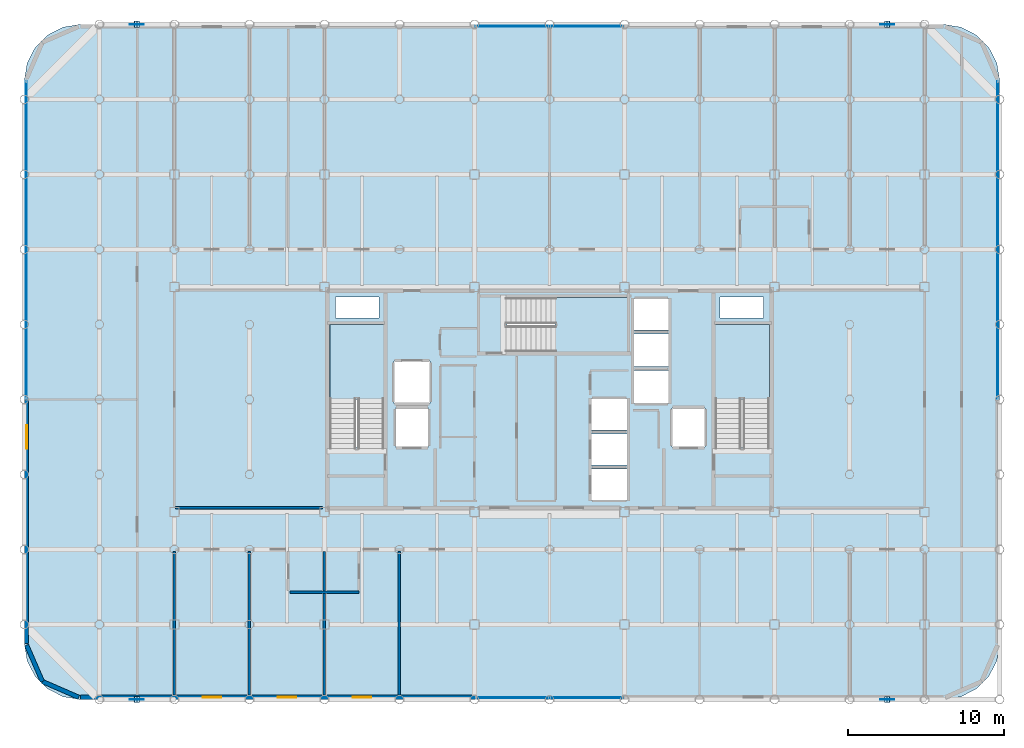
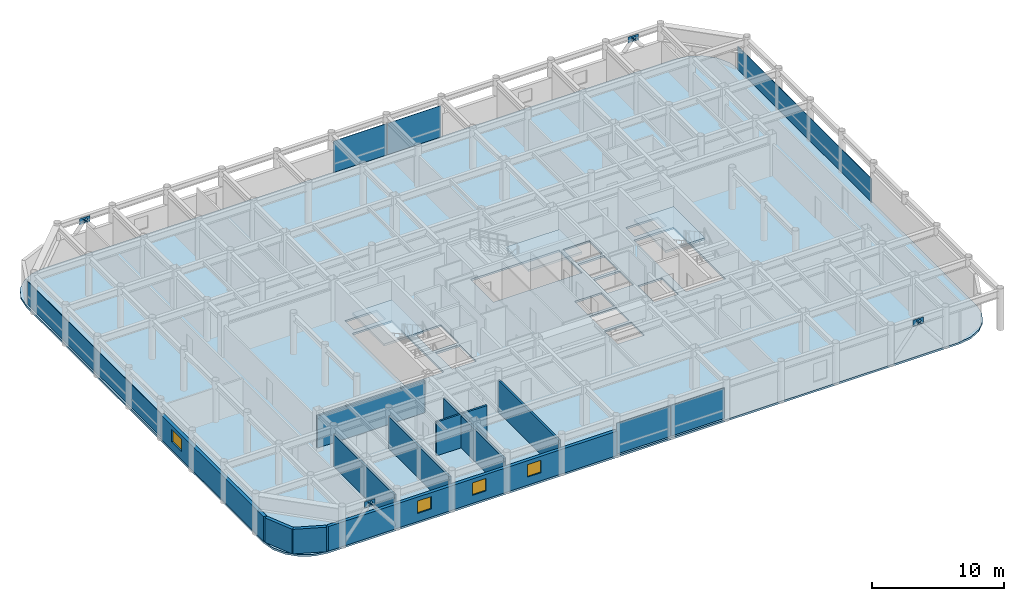
# One storey, part 17 of 22: 18 plates, 10 walls, 4 slabs, 4 windows, 4 openings, 7 elements without a shape of their own.
"""IFC4 building model written with IfcOpenShell, lengths in metres."""

import ifcopenshell
import ifcopenshell.guid

model = None  # the IFC model being written
_history = None  # IfcOwnerHistory: only IFC2X3 demands one
_inside = {}  # id of a spatial element -> (the spatial element, [elements in it])
_under = {}  # id of a project, library or spatial element -> (it, [spatial elements below it])
_declared = {}  # id of a project -> (the project, [libraries it declares])
_typed = {}  # id of a type object -> (the type object, [elements of that type])
_made_of = {}  # id of a material, layer set ... -> (it, [elements and type objects made of it])


def new_model(schema):
    """Start an empty IFC model of exactly this schema.

    Asked for "IFC4X3", IfcOpenShell would pick the latest addendum, in which some entities
    have other attributes; the version numbers below select the first issue.
    IFC2X3 requires an IfcOwnerHistory on every rooted entity: one is made here for all.
    """
    global model, _history
    if schema == "IFC4X3":
        model = ifcopenshell.file(schema_version=(4, 3, 0, 0))
    else:
        model = ifcopenshell.file(schema=schema)
    _inside.clear()
    _under.clear()
    _declared.clear()
    _typed.clear()
    _made_of.clear()
    _history = None
    if model.schema == "IFC2X3":
        org = make("IfcOrganization", Name="unknown")
        user = make(
            "IfcPersonAndOrganization",
            ThePerson=make("IfcPerson", FamilyName="unknown"),
            TheOrganization=org,
        )
        app = make(
            "IfcApplication",
            ApplicationDeveloper=org,
            Version="unknown",
            ApplicationFullName="unknown",
            ApplicationIdentifier="unknown",
        )
        _history = make(
            "IfcOwnerHistory",
            OwningUser=user,
            OwningApplication=app,
            ChangeAction="ADDED",
            CreationDate=0,
        )
    return model


def make(cls, **values):
    """One entity of the class cls with the attributes given. An attribute that is None is left unset."""
    return model.create_entity(
        cls, **{name: value for name, value in values.items() if value is not None}
    )


def rooted(cls, **values):
    """An entity with a GlobalId (a new one), such as an element, a storey or a relation."""
    return make(cls, GlobalId=ifcopenshell.guid.new(), OwnerHistory=_history, **values)


def si_unit(unit_type, name, prefix=None):
    """IfcSIUnit, for example si_unit("LENGTHUNIT", "METRE", prefix="MILLI")."""
    return make("IfcSIUnit", UnitType=unit_type, Prefix=prefix, Name=name)


def assignment(units):
    """IfcUnitAssignment: the units of a project."""
    return None if units is None else make("IfcUnitAssignment", Units=units)


def point(xyz):
    """IfcCartesianPoint."""
    return None if xyz is None else make("IfcCartesianPoint", Coordinates=xyz)


def direction(xyz):
    """IfcDirection."""
    return None if xyz is None else make("IfcDirection", DirectionRatios=xyz)


def frame(location, z_axis=None, x_axis=None):
    """IfcAxis2Placement3D, a coordinate frame: its origin and axes. An axis left out is left unset."""
    return make(
        "IfcAxis2Placement3D",
        Location=point(location),
        Axis=direction(z_axis),
        RefDirection=direction(x_axis),
    )


def frame_2d(location, x_axis=None):
    """IfcAxis2Placement2D, a coordinate frame in the plane: its origin and x axis."""
    return make(
        "IfcAxis2Placement2D", Location=point(location), RefDirection=direction(x_axis)
    )


def origin():
    """The frame at (0, 0, 0) with its axes left unset."""
    return frame((0.0, 0.0, 0.0))


def origin_2d():
    """The frame at (0, 0) in the plane with its x axis left unset."""
    return frame_2d((0.0, 0.0))


def place(relative_to, where):
    """IfcLocalPlacement: puts the frame where relative to a parent placement (None: the world)."""
    return make(
        "IfcLocalPlacement", PlacementRelTo=relative_to, RelativePlacement=where
    )


def context(
    kind, dimensions, precision=None, world=None, true_north=None, identifier=None
):
    """IfcGeometricRepresentationContext, for example the 3D "Model" context."""
    return make(
        "IfcGeometricRepresentationContext",
        ContextIdentifier=identifier,
        ContextType=kind,
        CoordinateSpaceDimension=dimensions,
        Precision=precision,
        WorldCoordinateSystem=world,
        TrueNorth=true_north,
    )


def subcontext(parent, identifier, kind, view, scale=None):
    """IfcGeometricRepresentationSubContext, for example "Body" below "Model"."""
    return make(
        "IfcGeometricRepresentationSubContext",
        ContextIdentifier=identifier,
        ContextType=kind,
        ParentContext=parent,
        TargetScale=scale,
        TargetView=view,
    )


def project(units=None, contexts=None):
    """IfcProject with its units and contexts."""
    return rooted(
        "IfcProject",
        Name="project",
        RepresentationContexts=contexts,
        UnitsInContext=assignment(units),
    )


def spatial(cls, under=None, at=None, **own):
    """A site, building, storey or space (cls), placed at a placement, below another one or the project."""
    s = rooted(cls, ObjectPlacement=at, **own)
    if under is not None:
        _under.setdefault(under.id(), (under, []))[1].append(s)
    return s


def polyline(points):
    """IfcPolyline through the points."""
    return make("IfcPolyline", Points=[point(p) for p in points])


def profile(cls, at=None, kind="AREA", **sizes):
    """A parametric profile (cls). Its sizes go by their IFC names, for example OverallWidth=200.0."""
    return make(cls, ProfileType=kind, Position=at, **sizes)


def rectangle(**sizes):
    """IfcRectangleProfileDef."""
    return profile("IfcRectangleProfileDef", **sizes)


def outline(outer, holes=None, kind="AREA"):
    """IfcArbitraryClosedProfileDef: a profile drawn as a closed curve; with holes, ...WithVoids."""
    if holes is None:
        return make("IfcArbitraryClosedProfileDef", ProfileType=kind, OuterCurve=outer)
    return make(
        "IfcArbitraryProfileDefWithVoids",
        ProfileType=kind,
        OuterCurve=outer,
        InnerCurves=holes,
    )


def extrude(swept, where, along, depth):
    """IfcExtrudedAreaSolid: the profile swept, set in the frame where, extruded along a direction by depth."""
    return make(
        "IfcExtrudedAreaSolid",
        SweptArea=swept,
        Position=where,
        ExtrudedDirection=direction(along),
        Depth=depth,
    )


def shape(context_of_items, identifier, shape_type, items):
    """IfcShapeRepresentation: the items that make up one representation, for example the "Body"."""
    return make(
        "IfcShapeRepresentation",
        ContextOfItems=context_of_items,
        RepresentationIdentifier=identifier,
        RepresentationType=shape_type,
        Items=items,
    )


def material(Name=None, Category=None):
    """IfcMaterial."""
    return make("IfcMaterial", Name=Name, Category=Category)


def layer(
    of_material, thickness, ventilated=None, Name=None, Category=None, Priority=None
):
    """IfcMaterialLayer: one layer of a wall or slab, of a material (None: an air gap)."""
    return make(
        "IfcMaterialLayer",
        Material=of_material,
        LayerThickness=thickness,
        IsVentilated=ventilated,
        Name=Name,
        Category=Category,
        Priority=Priority,
    )


def layer_set(layers, Name=None):
    """IfcMaterialLayerSet."""
    return make("IfcMaterialLayerSet", MaterialLayers=layers, LayerSetName=Name)


def made_of(thing, what):
    """Note that an element or type object is made of a material, layer set ...; save() writes the relation."""
    if what is not None:
        _made_of.setdefault(what.id(), (what, []))[1].append(thing)
    return thing


def type_object(cls, material=None, **own):
    """A type object (cls), such as IfcWallType, which elements share."""
    return made_of(rooted(cls, **own), material)


def element(
    cls,
    number,
    at=None,
    inside=None,
    cuts=None,
    type_object=None,
    material=None,
    context=None,
    identifier="Body",
    shape_type=None,
    held_by="IfcProductDefinitionShape",
    body=None,
    shapes=None,
    **own,
):
    """One element of the class cls, such as IfcWall. Its Tag is "e" and its number.

    at: its placement. inside: the storey or other place that contains it. cuts: it is an
    opening in that element (IfcRelVoidsElement). A single representation is given by context,
    identifier, shape_type and body (its items); several are given by shapes. held_by: the class
    of the entity that holds the representations. save() writes the other relations.
    """
    e = rooted(cls, Tag="e%d" % number, ObjectPlacement=at, **own)
    if body is not None:
        shapes = [shape(context, identifier, shape_type, body)]
    if shapes is not None:
        e.Representation = make(held_by, Representations=shapes)
    if inside is not None:
        _inside.setdefault(inside.id(), (inside, []))[1].append(e)
    if cuts is not None:
        rooted(
            "IfcRelVoidsElement", RelatingBuildingElement=cuts, RelatedOpeningElement=e
        )
    if type_object is not None:
        _typed.setdefault(type_object.id(), (type_object, []))[1].append(e)
    return made_of(e, material)


def fill(opening, filler):
    """IfcRelFillsElement: the door or window that sits in an opening."""
    return rooted(
        "IfcRelFillsElement",
        RelatingOpeningElement=opening,
        RelatedBuildingElement=filler,
    )


def aggregate(whole, parts):
    """IfcRelAggregates: a whole, such as a stair, and the parts it consists of."""
    return rooted("IfcRelAggregates", RelatingObject=whole, RelatedObjects=parts)


def save(model, path):
    """Write the relations noted so far, then the file.

    IfcRelAggregates (storeys below a building ...), IfcRelContainedInSpatialStructure (elements
    in a storey), IfcRelDefinesByType, IfcRelAssociatesMaterial and IfcRelDeclares: one each for
    every whole, place, type object, material and project.
    """
    for whole, parts in _under.values():
        aggregate(whole, parts)
    for where, things in _inside.values():
        rooted(
            "IfcRelContainedInSpatialStructure",
            RelatedElements=things,
            RelatingStructure=where,
        )
    for kind, things in _typed.values():
        rooted("IfcRelDefinesByType", RelatedObjects=things, RelatingType=kind)
    for what, things in _made_of.values():
        rooted("IfcRelAssociatesMaterial", RelatedObjects=things, RelatingMaterial=what)
    for by, libraries in _declared.values():
        rooted("IfcRelDeclares", RelatingContext=by, RelatedDefinitions=libraries)
    model.write(path)


model = new_model("IFC4")

# Units and contexts
model_context = context("Model", 3, precision=1e-05, world=origin(), true_north=direction((0.0, 1.0)))
body_context = subcontext(model_context, "Body", "Model", "MODEL_VIEW")
ifc_project = project(units=[si_unit("LENGTHUNIT", "METRE"), si_unit("AREAUNIT", "SQUARE_METRE"), si_unit("VOLUMEUNIT", "CUBIC_METRE"), si_unit("PLANEANGLEUNIT", "RADIAN"), si_unit("MASSUNIT", "GRAM", prefix="KILO")], contexts=[model_context])

# Site, building, storey
site_placement = place(None, origin())
site = spatial("IfcSite", under=ifc_project, at=site_placement, CompositionType="ELEMENT")
building_placement = place(site_placement, origin())
building = spatial("IfcBuilding", under=site, at=building_placement, Name="Kallvorn Hotel Tower", CompositionType="ELEMENT")
storey_placement = place(building_placement, frame((0.0, 0.0, 264.64990234375)))
storey = spatial("IfcBuildingStorey", under=building, at=storey_placement, Name="L66", CompositionType="ELEMENT", Elevation=264.64990234375)

# Curtain wall, plates
ifc_material_1 = material(Name="Thermally broken black-anodised aluminium AA 6063-T6", Category="aluminium")
ifc_layer_1 = layer(ifc_material_1, 0.22998046875)
ifc_layer_set_1 = layer_set([ifc_layer_1], Name="CW_SYS_5_HOTEL_HIGH")
curtain_wall_type = type_object("IfcCurtainWallType", Name="CW_SYS_5_HOTEL_HIGH", PredefinedType="USERDEFINED", material=ifc_layer_set_1)
curtain_wall_1_placement = place(storey_placement, origin())
curtain_wall_1 = element("IfcCurtainWall", 1, at=curtain_wall_1_placement, inside=storey, type_object=curtain_wall_type, Name="L66 Dark-Glass Curtain Wall CW-L66-SC", ObjectType="UNITISED CURTAIN WALL", PredefinedType="USERDEFINED")
ifc_material_2 = material(Name="Triple-glazed low-e acoustic solar-control dark glass", Category="glass")
ifc_layer_2 = layer(ifc_material_2, 0.04150390625)
ifc_layer_set_2 = layer_set([ifc_layer_2], Name="CW_SYS_5_HOTEL_HIGH_PANEL")
plate_type_1 = type_object("IfcPlateType", Name="CW_SYS_5_HOTEL_HIGH_PANEL", PredefinedType="CURTAIN_PANEL", material=ifc_layer_set_2)
plate_1_placement = place(storey_placement, frame((-2.375, -19.080078125, 0.06005859375), z_axis=(0.0, 0.0, 1.0), x_axis=(1.0, 0.0, 0.0)))
plate_1 = element("IfcPlate", 2, at=plate_1_placement, type_object=plate_type_1, Name="CW-L66-SC Vision Glass Panel 00", PredefinedType="CURTAIN_PANEL", context=body_context, shape_type="SweptSolid", body=[
    extrude(rectangle(XDim=4.68994140625, YDim=0.04150390625, at=origin_2d()), origin(), (0.0, 0.0, 1.0), 2.85009765625),
])
plate_2_placement = place(storey_placement, frame((2.375, -19.080078125, 0.06005859375), z_axis=(0.0, 0.0, 1.0), x_axis=(1.0, 0.0, 0.0)))
plate_2 = element("IfcPlate", 3, at=plate_2_placement, type_object=plate_type_1, Name="CW-L66-SC Vision Glass Panel 01", PredefinedType="CURTAIN_PANEL", context=body_context, shape_type="SweptSolid", body=[
    extrude(rectangle(XDim=4.68994140625, YDim=0.04150390625, at=origin_2d()), origin(), (0.0, 0.0, 1.0), 2.85009765625),
])
aggregate(curtain_wall_1, [plate_1, plate_2])

curtain_wall_2_placement = place(storey_placement, origin())
curtain_wall_2 = element("IfcCurtainWall", 4, at=curtain_wall_2_placement, inside=storey, type_object=curtain_wall_type, Name="L66 Dark-Glass Curtain Wall CW-L66-NC", ObjectType="UNITISED CURTAIN WALL", PredefinedType="USERDEFINED")
plate_3_placement = place(storey_placement, frame((-2.375, 23.8798828125, 0.06005859375), z_axis=(0.0, 0.0, 1.0), x_axis=(1.0, 0.0, 0.0)))
plate_3 = element("IfcPlate", 5, at=plate_3_placement, type_object=plate_type_1, Name="CW-L66-NC Vision Glass Panel 00", PredefinedType="CURTAIN_PANEL", context=body_context, shape_type="SweptSolid", body=[
    extrude(rectangle(XDim=4.68994140625, YDim=0.04150390625, at=origin_2d()), origin(), (0.0, 0.0, 1.0), 2.89990234375),
])
plate_4_placement = place(storey_placement, frame((2.375, 23.8798828125, 0.06005859375), z_axis=(0.0, 0.0, 1.0), x_axis=(1.0, 0.0, 0.0)))
plate_4 = element("IfcPlate", 6, at=plate_4_placement, type_object=plate_type_1, Name="CW-L66-NC Vision Glass Panel 01", PredefinedType="CURTAIN_PANEL", context=body_context, shape_type="SweptSolid", body=[
    extrude(rectangle(XDim=4.68994140625, YDim=0.04150390625, at=origin_2d()), origin(), (0.0, 0.0, 1.0), 2.89990234375),
])
aggregate(curtain_wall_2, [plate_3, plate_4])

# Curtain wall, plate
curtain_wall_3_placement = place(storey_placement, origin())
curtain_wall_3 = element("IfcCurtainWall", 7, at=curtain_wall_3_placement, inside=storey, type_object=curtain_wall_type, Name="L66 Dark-Glass Curtain Wall CW-L66-WN", ObjectType="UNITISED CURTAIN WALL", PredefinedType="USERDEFINED")
plate_5_placement = place(storey_placement, frame((-33.47998046875, 10.2099609375, 0.06005859375), z_axis=(0.0, 0.0, 1.0), x_axis=(0.0, 1.0, 0.0)))
plate_5 = element("IfcPlate", 8, at=plate_5_placement, type_object=plate_type_1, Name="CW-L66-WN Vision Glass Panel 00", PredefinedType="CURTAIN_PANEL", context=body_context, shape_type="SweptSolid", body=[
    extrude(rectangle(XDim=20.320068359375, YDim=0.04150390625, at=origin_2d()), origin(), (0.0, 0.0, 1.0), 2.14990234375),
])
aggregate(curtain_wall_3, [plate_5])

curtain_wall_4_placement = place(storey_placement, origin())
curtain_wall_4 = element("IfcCurtainWall", 9, at=curtain_wall_4_placement, inside=storey, type_object=curtain_wall_type, Name="L66 Dark-Glass Curtain Wall CW-L66-EN", ObjectType="UNITISED CURTAIN WALL", PredefinedType="USERDEFINED")
plate_6_placement = place(storey_placement, frame((28.679931640625, 10.2099609375, 0.06005859375), z_axis=(0.0, 0.0, 1.0), x_axis=(0.0, 1.0, 0.0)))
plate_6 = element("IfcPlate", 10, at=plate_6_placement, type_object=plate_type_1, Name="CW-L66-EN Vision Glass Panel 00", PredefinedType="CURTAIN_PANEL", context=body_context, shape_type="SweptSolid", body=[
    extrude(rectangle(XDim=20.320068359375, YDim=0.04150390625, at=origin_2d()), origin(), (0.0, 0.0, 1.0), 2.14990234375),
])
aggregate(curtain_wall_4, [plate_6])

# Plates
ifc_material_3 = material(Name="Structural steel S355JR", Category="steel")
ifc_layer_3 = layer(ifc_material_3, 0.030029296875)
ifc_layer_set_3 = layer_set([ifc_layer_3], Name="PLT_CAP_30")
plate_type_2 = type_object("IfcPlateType", Name="PLT_CAP_30", PredefinedType="SHEET", material=ifc_layer_set_3)
plate_7_placement = place(storey_placement, frame((-26.235595703125, -19.40185546875, 3.092529296875), z_axis=(0.621074629096, 0.0, 0.78375143068), x_axis=(0.0, 1.0, 0.0)))
element("IfcPlate", 11, at=plate_7_placement, inside=storey, type_object=plate_type_2, Name="EXO-L66-S1A End Cap Plate B", PredefinedType="SHEET", context=body_context, shape_type="SweptSolid", body=[
    extrude(outline(polyline([(0.0, 0.0), (0.40380859375, 0.0), (0.40380859375, 0.4037073970320156), (0.0, 0.4037073970320156), (0.0, 0.0)])), origin(), (0.0, 0.0, -1.0), 0.030029296875),
])
plate_8_placement = place(storey_placement, frame((-26.564453125, -18.998046875, 3.092529296875), z_axis=(-0.620780353498, 0.0, 0.783984536015), x_axis=(0.0, -1.0, 0.0)))
element("IfcPlate", 12, at=plate_8_placement, inside=storey, type_object=plate_type_2, Name="EXO-L66-S1B End Cap Plate B", PredefinedType="SHEET", context=body_context, shape_type="SweptSolid", body=[
    extrude(outline(polyline([(0.0, 0.0), (0.40380859375, 0.0), (0.40380859375, 0.40389877105813043), (0.0, 0.40389877105813043), (0.0, 0.0)])), origin(), (0.0, 0.0, -1.0), 0.030029296875),
])
plate_9_placement = place(storey_placement, frame((21.764404296875, -19.40185546875, 3.092529296875), z_axis=(0.621074629096, 0.0, 0.78375143068), x_axis=(0.0, 1.0, 0.0)))
element("IfcPlate", 13, at=plate_9_placement, inside=storey, type_object=plate_type_2, Name="EXO-L66-S2A End Cap Plate B", PredefinedType="SHEET", context=body_context, shape_type="SweptSolid", body=[
    extrude(outline(polyline([(0.0, 0.0), (0.40380859375, 0.0), (0.40380859375, 0.4037073970320156), (0.0, 0.4037073970320156), (0.0, 0.0)])), origin(), (0.0, 0.0, -1.0), 0.030029296875),
])
plate_10_placement = place(storey_placement, frame((21.435546875, -18.998046875, 3.092529296875), z_axis=(-0.620780353498, 0.0, 0.783984536015), x_axis=(0.0, -1.0, 0.0)))
element("IfcPlate", 14, at=plate_10_placement, inside=storey, type_object=plate_type_2, Name="EXO-L66-S2B End Cap Plate B", PredefinedType="SHEET", context=body_context, shape_type="SweptSolid", body=[
    extrude(outline(polyline([(0.0, 0.0), (0.40380859375, 0.0), (0.40380859375, 0.40389877105813043), (0.0, 0.40389877105813043), (0.0, 0.0)])), origin(), (0.0, 0.0, -1.0), 0.030029296875),
])
plate_11_placement = place(storey_placement, frame((-26.235595703125, 23.798095703125, 3.092529296875), z_axis=(0.621074629096, 0.0, 0.78375143068), x_axis=(0.0, 1.0, 0.0)))
element("IfcPlate", 15, at=plate_11_placement, inside=storey, type_object=plate_type_2, Name="EXO-L66-N1A End Cap Plate B", PredefinedType="SHEET", context=body_context, shape_type="SweptSolid", body=[
    extrude(outline(polyline([(0.0, 0.0), (0.40380859375, 0.0), (0.40380859375, 0.4037073970320156), (0.0, 0.4037073970320156), (0.0, 0.0)])), origin(), (0.0, 0.0, -1.0), 0.030029296875),
])
plate_12_placement = place(storey_placement, frame((-26.564453125, 24.201904296875, 3.092529296875), z_axis=(-0.620780353498, 0.0, 0.783984536015), x_axis=(0.0, -1.0, 0.0)))
element("IfcPlate", 16, at=plate_12_placement, inside=storey, type_object=plate_type_2, Name="EXO-L66-N1B End Cap Plate B", PredefinedType="SHEET", context=body_context, shape_type="SweptSolid", body=[
    extrude(outline(polyline([(0.0, 0.0), (0.40380859375, 0.0), (0.40380859375, 0.40389877105813043), (0.0, 0.40389877105813043), (0.0, 0.0)])), origin(), (0.0, 0.0, -1.0), 0.030029296875),
])
plate_13_placement = place(storey_placement, frame((21.764404296875, 23.798095703125, 3.092529296875), z_axis=(0.621074629096, 0.0, 0.78375143068), x_axis=(0.0, 1.0, 0.0)))
element("IfcPlate", 17, at=plate_13_placement, inside=storey, type_object=plate_type_2, Name="EXO-L66-N2A End Cap Plate B", PredefinedType="SHEET", context=body_context, shape_type="SweptSolid", body=[
    extrude(outline(polyline([(0.0, 0.0), (0.40380859375, 0.0), (0.40380859375, 0.4037073970320156), (0.0, 0.4037073970320156), (0.0, 0.0)])), origin(), (0.0, 0.0, -1.0), 0.030029296875),
])
plate_14_placement = place(storey_placement, frame((21.435546875, 24.201904296875, 3.092529296875), z_axis=(-0.620780353498, 0.0, 0.783984536015), x_axis=(0.0, -1.0, 0.0)))
element("IfcPlate", 18, at=plate_14_placement, inside=storey, type_object=plate_type_2, Name="EXO-L66-N2B End Cap Plate B", PredefinedType="SHEET", context=body_context, shape_type="SweptSolid", body=[
    extrude(outline(polyline([(0.0, 0.0), (0.40380859375, 0.0), (0.40380859375, 0.40389877105813043), (0.0, 0.40389877105813043), (0.0, 0.0)])), origin(), (0.0, 0.0, -1.0), 0.030029296875),
])
ifc_material_4 = material(Name="Structural steel S355JR", Category="steel")
ifc_layer_4 = layer(ifc_material_4, 0.034912109375)
ifc_layer_set_4 = layer_set([ifc_layer_4], Name="PLT_GUSSET_35")
plate_type_3 = type_object("IfcPlateType", Name="PLT_GUSSET_35", PredefinedType="USERDEFINED", material=ifc_layer_set_4)
for number, where, z_axis, x_axis, name in (
    (19, (-26.39990234375, -19.199951171875, 2.89013671875), (0.0, 0.0, 1.0), (1.0, 0.0, 0.0), "L66 Exoskeleton Node Gusset S1"),
    (20, (21.60009765625, -19.199951171875, 2.89013671875), (0.0, 0.0, 1.0), (1.0, 0.0, 0.0), "L66 Exoskeleton Node Gusset S2"),
    (21, (-26.39990234375, 24.0, 2.89013671875), (0.0, 0.0, 1.0), (1.0, 0.0, 0.0), "L66 Exoskeleton Node Gusset N1"),
    (22, (21.60009765625, 24.0, 2.89013671875), (0.0, 0.0, 1.0), (1.0, 0.0, 0.0), "L66 Exoskeleton Node Gusset N2"),
):
    element("IfcPlate", number, at=place(storey_placement, frame(where, z_axis=z_axis, x_axis=x_axis)), inside=storey, type_object=plate_type_3, Name=name, ObjectType="GUSSET PLATE", PredefinedType="USERDEFINED", context=body_context, shape_type="SweptSolid", body=[
        extrude(rectangle(XDim=0.89990234375, YDim=0.034912109375, at=origin_2d()), origin(), (0.0, 0.0, 1.0), 0.56005859375),
    ])

# Stair, slab
ifc_material_5 = material(Name="Precast concrete C40/50", Category="concrete")
stair_type = type_object("IfcStairType", Name="STR_CORE_DOGLEG", PredefinedType="HALF_TURN_STAIR", material=ifc_material_5)
stair_1_placement = place(storey_placement, origin())
stair_1 = element("IfcStair", 23, at=stair_1_placement, inside=storey, type_object=stair_type, Name="L66 Exit stair ST1", PredefinedType="HALF_TURN_STAIR")
ifc_material_6 = material(Name="Precast concrete C40/50", Category="concrete")
ifc_layer_5 = layer(ifc_material_6, 0.179931640625)
ifc_layer_set_5 = layer_set([ifc_layer_5], Name="SLB_LANDING_180")
slab_type_1 = type_object("IfcSlabType", Name="SLB_LANDING_180", PredefinedType="LANDING", material=ifc_layer_set_5)
slab_1_placement = place(storey_placement, frame((0.0, 0.0, 1.72509765625)))
slab_1 = element("IfcSlab", 24, at=slab_1_placement, type_object=slab_type_1, Name="ST1 landing 1", PredefinedType="LANDING", context=body_context, shape_type="SweptSolid", body=[
    extrude(outline(polyline([(-10.60009765625, 0.010009765625), (-10.60009765625, 4.800048828125), (-14.06005859375, 4.800048828125), (-14.06005859375, 0.010009765625), (-10.60009765625, 0.010009765625)])), origin(), (0.0, 0.0, 1.0), 0.199951171875),
])
aggregate(stair_1, [slab_1])

stair_2_placement = place(storey_placement, origin())
stair_2 = element("IfcStair", 25, at=stair_2_placement, inside=storey, type_object=stair_type, Name="L66 Exit stair ST2", PredefinedType="HALF_TURN_STAIR")
slab_2_placement = place(storey_placement, frame((0.0, 0.0, 1.72509765625)))
slab_2 = element("IfcSlab", 26, at=slab_2_placement, type_object=slab_type_1, Name="ST2 landing 1", PredefinedType="LANDING", context=body_context, shape_type="SweptSolid", body=[
    extrude(outline(polyline([(14.06005859375, 0.010009765625), (14.06005859375, 4.800048828125), (10.60009765625, 4.800048828125), (10.60009765625, 0.010009765625), (14.06005859375, 0.010009765625)])), origin(), (0.0, 0.0, 1.0), 0.199951171875),
])
aggregate(stair_2, [slab_2])

stair_3_placement = place(storey_placement, origin())
stair_3 = element("IfcStair", 27, at=stair_3_placement, inside=storey, type_object=stair_type, Name="L66 Exit stair ST3", PredefinedType="HALF_TURN_STAIR")
slab_3_placement = place(storey_placement, frame((0.0, 0.0, 1.72509765625)))
slab_3 = element("IfcSlab", 28, at=slab_3_placement, type_object=slab_type_1, Name="ST3 landing 1", PredefinedType="LANDING", context=body_context, shape_type="SweptSolid", body=[
    extrude(outline(polyline([(0.360107421875, 3.050048828125), (5.050048828125, 3.050048828125), (5.050048828125, 6.510009765625), (0.360107421875, 6.510009765625), (0.360107421875, 3.050048828125)])), origin(), (0.0, 0.0, 1.0), 0.199951171875),
])
aggregate(stair_3, [slab_3])

# Slab
ifc_material_7 = material(Name="Concrete C40/50", Category="concrete")
ifc_layer_6 = layer(ifc_material_7, 0.179931640625)
ifc_layer_set_6 = layer_set([ifc_layer_6], Name="SLB_TOWER_180")
slab_type_2 = type_object("IfcSlabType", Name="SLB_TOWER_180", PredefinedType="FLOOR", material=ifc_layer_set_6)
slab_4_placement = place(storey_placement, frame((0.0, 0.0, -0.179931640625)))
element("IfcSlab", 29, at=slab_4_placement, inside=storey, type_object=slab_type_2, Name="L66 Structural Floor Slab", PredefinedType="FLOOR", context=body_context, shape_type="SweptSolid", body=[
    extrude(outline(polyline([(25.199951171875, -19.199951171875), (26.3125, -19.023681640625), (27.31591796875, -18.512451171875), (28.112548828125, -17.716064453125), (28.623779296875, -16.71240234375), (28.800048828125, -15.60009765625), (28.800048828125, 20.39990234375), (28.623779296875, 21.512451171875), (28.112548828125, 22.51611328125), (27.31591796875, 23.3125), (26.3125, 23.82373046875), (25.199951171875, 24.0), (-30.0, 24.0), (-31.112548828125, 23.82373046875), (-32.115966796875, 23.3125), (-32.91259765625, 22.51611328125), (-33.423828125, 21.512451171875), (-33.60009765625, 20.39990234375), (-33.60009765625, -15.60009765625), (-33.423828125, -16.71240234375), (-32.91259765625, -17.716064453125), (-32.115966796875, -18.512451171875), (-31.112548828125, -19.023681640625), (-30.0, -19.199951171875), (25.199951171875, -19.199951171875)]), holes=[polyline([(-10.60009765625, -3.070068359375), (-10.60009765625, 4.800048828125), (-14.06005859375, 4.800048828125), (-14.06005859375, -3.070068359375), (-10.60009765625, -3.070068359375)]), polyline([(14.06005859375, -3.070068359375), (14.06005859375, 4.800048828125), (10.60009765625, 4.800048828125), (10.60009765625, -3.070068359375), (14.06005859375, -3.070068359375)]), polyline([(-2.719970703125, 3.050048828125), (5.050048828125, 3.050048828125), (5.050048828125, 6.510009765625), (-2.719970703125, 6.510009765625), (-2.719970703125, 3.050048828125)]), polyline([(2.64990234375, -6.449951171875), (5.0, -6.449951171875), (5.0, -4.449951171875), (2.64990234375, -4.449951171875), (2.64990234375, -6.449951171875)]), polyline([(2.64990234375, -4.199951171875), (5.0, -4.199951171875), (5.0, -2.199951171875), (2.64990234375, -2.199951171875), (2.64990234375, -4.199951171875)]), polyline([(2.64990234375, -1.949951171875), (5.0, -1.949951171875), (5.0, 0.050048828125), (2.64990234375, 0.050048828125), (2.64990234375, -1.949951171875)]), polyline([(5.35009765625, -0.25), (7.64990234375, -0.25), (7.64990234375, 1.85009765625), (5.35009765625, 1.85009765625), (5.35009765625, -0.25)]), polyline([(5.35009765625, 2.10009765625), (7.64990234375, 2.10009765625), (7.64990234375, 4.199951171875), (5.35009765625, 4.199951171875), (5.35009765625, 2.10009765625)]), polyline([(5.35009765625, 4.449951171875), (7.64990234375, 4.449951171875), (7.64990234375, 6.449951171875), (5.35009765625, 6.449951171875), (5.35009765625, 4.449951171875)]), polyline([(-9.85009765625, -3.050048828125), (-7.75, -3.050048828125), (-7.75, -0.550048828125), (-9.85009765625, -0.550048828125), (-9.85009765625, -3.050048828125)]), polyline([(7.85009765625, -3.050048828125), (9.949951171875, -3.050048828125), (9.949951171875, -0.550048828125), (7.85009765625, -0.550048828125), (7.85009765625, -3.050048828125)]), polyline([(-9.949951171875, -0.25), (-7.64990234375, -0.25), (-7.64990234375, 2.449951171875), (-9.949951171875, 2.449951171875), (-9.949951171875, -0.25)]), polyline([(-13.699951171875, 5.199951171875), (-10.89990234375, 5.199951171875), (-10.89990234375, 6.550048828125), (-13.699951171875, 6.550048828125), (-13.699951171875, 5.199951171875)]), polyline([(10.89990234375, 5.199951171875), (13.699951171875, 5.199951171875), (13.699951171875, 6.550048828125), (10.89990234375, 6.550048828125), (10.89990234375, 5.199951171875)])]), origin(), (0.0, 0.0, 1.0), 0.179931640625),
])

# Walls
ifc_material_8 = material(Name="Fire-rated double-layer acoustic gypsum drywall EI 60")
ifc_layer_7 = layer(ifc_material_8, 0.159912109375)
ifc_layer_set_7 = layer_set([ifc_layer_7], Name="WL_DEMISE_160")
wall_type_1 = type_object("IfcWallType", Name="WL_DEMISE_160", PredefinedType="PARTITIONING", material=ifc_layer_set_7)
wall_1_placement = place(storey_placement, frame((-16.610107421875, -12.320068359375, 0.0), z_axis=(0.0, 0.0, 1.0), x_axis=(1.0, 0.0, 0.0)))
element("IfcWall", 30, at=wall_1_placement, inside=storey, type_object=wall_type_1, Name="L66 Suite 6601 Superior Twin Room Partition", PredefinedType="PARTITIONING", context=body_context, shape_type="SweptSolid", body=[
    extrude(rectangle(XDim=4.420166015625, YDim=0.159912109375, at=frame_2d((2.2099609375, 0.0))), origin(), (0.0, 0.0, 1.0), 3.1201171875),
])
for number, where, z_axis, x_axis, name in (
    (31, (-19.199951171875, -18.909912109375, 0.0), (0.0, 0.0, 1.0), (0.0, 1.0, 0.0), "L66 Suite 6601 Superior Twin Room Partition"),
    (32, (-14.39990234375, -18.909912109375, 0.0), (0.0, 0.0, 1.0), (0.0, 1.0, 0.0), "L66 Suite 6601 Superior Twin Room Partition"),
    (33, (-9.60009765625, -18.909912109375, 0.0), (0.0, 0.0, 1.0), (0.0, 1.0, 0.0), "L66 Suite 6602 Superior Twin Room Partition"),
):
    element("IfcWall", number, at=place(storey_placement, frame(where, z_axis=z_axis, x_axis=x_axis)), inside=storey, type_object=wall_type_1, Name=name, PredefinedType="PARTITIONING", context=body_context, shape_type="SweptSolid", body=[
        extrude(rectangle(XDim=9.18994140625, YDim=0.159912109375, at=frame_2d((4.594970703125, 0.0))), origin(), (0.0, 0.0, 1.0), 2.97021484375),
    ])
ifc_material_9 = material(Name="Precast basalt-clad insulated concrete wall C40/50", Category="masonry")
ifc_layer_8 = layer(ifc_material_9, 0.280029296875)
ifc_layer_set_8 = layer_set([ifc_layer_8], Name="WL_EXT_LOGGIA_280")
wall_type_2 = type_object("IfcWallType", Name="WL_EXT_LOGGIA_280", PredefinedType="SOLIDWALL", material=ifc_layer_set_8)
wall_2_placement = place(storey_placement, frame((-33.4580078125, -15.720703125, 0.0), z_axis=(0.0, 0.0, 1.0), x_axis=(0.398792985289, -0.917040977756, 0.0)))
element("IfcWall", 34, at=wall_2_placement, inside=storey, type_object=wall_type_2, Name="L66 Rounded Corner Exterior Wall SW1", PredefinedType="SOLIDWALL", context=body_context, shape_type="SweptSolid", body=[
    extrude(rectangle(XDim=2.536376953125, YDim=0.280029296875, at=frame_2d((1.26806640625, 0.0))), origin(), (0.0, 0.0, 1.0), 2.27001953125),
])
wall_3_placement = place(storey_placement, frame((-32.446533203125, -18.046630859375, 0.0), z_axis=(0.0, 0.0, 1.0), x_axis=(0.917060872934, -0.398747232384, 0.0)))
element("IfcWall", 35, at=wall_3_placement, inside=storey, type_object=wall_type_2, Name="L66 Rounded Corner Exterior Wall SW2", PredefinedType="SOLIDWALL", context=body_context, shape_type="SweptSolid", body=[
    extrude(rectangle(XDim=2.5361328125, YDim=0.280029296875, at=frame_2d((1.26806640625, 0.0))), origin(), (0.0, 0.0, 1.0), 2.27001953125),
])

# Wall, openings, windows
wall_4_placement = place(storey_placement, frame((-30.0, -19.06005859375, 0.0), z_axis=(0.0, 0.0, 1.0), x_axis=(1.0, 0.0, 0.0)))
wall_4 = element("IfcWall", 36, at=wall_4_placement, inside=storey, type_object=wall_type_2, Name="L66 Exterior Envelope Wall EW-L66-SW", PredefinedType="SOLIDWALL", context=body_context, shape_type="SweptSolid", body=[
    extrude(rectangle(XDim=25.25, YDim=0.280029296875, at=frame_2d((12.625, 0.0))), origin(), (0.0, 0.0, 1.0), 2.27001953125),
])
opening_1_placement = place(wall_4_placement, frame((7.800048828125, 0.0, 0.75)))
opening_1 = element("IfcOpeningElement", 37, at=opening_1_placement, cuts=wall_4, Name="Opening W06A", PredefinedType="OPENING", context=body_context, shape_type="SweptSolid", body=[
    extrude(rectangle(XDim=1.199951171875, YDim=1.14990234375, at=frame_2d((0.60009765625, 0.574951171875))), frame((0.0, 0.155029296875, 0.0), z_axis=(0.0, -1.0, 0.0), x_axis=(1.0, 0.0, 0.0)), (0.0, 0.0, 1.0), 0.31005859375),
])
opening_2_placement = place(wall_4_placement, frame((12.60009765625, 0.0, 0.75)))
opening_2 = element("IfcOpeningElement", 38, at=opening_2_placement, cuts=wall_4, Name="Opening W06A", PredefinedType="OPENING", context=body_context, shape_type="SweptSolid", body=[
    extrude(rectangle(XDim=1.199951171875, YDim=1.14990234375, at=frame_2d((0.60009765625, 0.574951171875))), frame((0.0, 0.155029296875, 0.0), z_axis=(0.0, -1.0, 0.0), x_axis=(1.0, 0.0, 0.0)), (0.0, 0.0, 1.0), 0.31005859375),
])
opening_3_placement = place(wall_4_placement, frame((17.39990234375, 0.0, 0.75)))
opening_3 = element("IfcOpeningElement", 39, at=opening_3_placement, cuts=wall_4, Name="Opening W06A", PredefinedType="OPENING", context=body_context, shape_type="SweptSolid", body=[
    extrude(rectangle(XDim=1.199951171875, YDim=1.14990234375, at=frame_2d((0.60009765625, 0.574951171875))), frame((0.0, 0.155029296875, 0.0), z_axis=(0.0, -1.0, 0.0), x_axis=(1.0, 0.0, 0.0)), (0.0, 0.0, 1.0), 0.31005859375),
])
ifc_material_10 = material(Name="Triple-glazed low-e acoustic solar-control dark glass", Category="glass")
window_type_1 = type_object("IfcWindowType", Name="WN_HTL_1200x1150", PartitioningType="SINGLE_PANEL", PredefinedType="WINDOW", material=ifc_material_10)
window_1_placement = place(opening_1_placement, origin())
window_1 = element("IfcWindow", 40, at=window_1_placement, inside=storey, type_object=window_type_1, Name="L66 Guestroom Exterior Window 01", OverallHeight=1.14990234375, OverallWidth=1.199951171875, PartitioningType="SINGLE_PANEL", PredefinedType="WINDOW", context=body_context, shape_type="SweptSolid", body=[
    extrude(rectangle(XDim=1.199951171875, YDim=1.14990234375, at=frame_2d((0.60009765625, 0.574951171875))), frame((0.0, 0.030029296875, 0.0), z_axis=(0.0, -1.0, 0.0), x_axis=(1.0, 0.0, 0.0)), (0.0, 0.0, 1.0), 0.06005859375),
])
fill(opening_1, window_1)
window_2_placement = place(opening_2_placement, origin())
window_2 = element("IfcWindow", 41, at=window_2_placement, inside=storey, type_object=window_type_1, Name="L66 Guestroom Exterior Window 04", OverallHeight=1.14990234375, OverallWidth=1.199951171875, PartitioningType="SINGLE_PANEL", PredefinedType="WINDOW", context=body_context, shape_type="SweptSolid", body=[
    extrude(rectangle(XDim=1.199951171875, YDim=1.14990234375, at=frame_2d((0.60009765625, 0.574951171875))), frame((0.0, 0.030029296875, 0.0), z_axis=(0.0, -1.0, 0.0), x_axis=(1.0, 0.0, 0.0)), (0.0, 0.0, 1.0), 0.06005859375),
])
fill(opening_2, window_2)
window_3_placement = place(opening_3_placement, origin())
window_3 = element("IfcWindow", 42, at=window_3_placement, inside=storey, type_object=window_type_1, Name="L66 Guestroom Exterior Window 05", OverallHeight=1.14990234375, OverallWidth=1.199951171875, PartitioningType="SINGLE_PANEL", PredefinedType="WINDOW", context=body_context, shape_type="SweptSolid", body=[
    extrude(rectangle(XDim=1.199951171875, YDim=1.14990234375, at=frame_2d((0.60009765625, 0.574951171875))), frame((0.0, 0.030029296875, 0.0), z_axis=(0.0, -1.0, 0.0), x_axis=(1.0, 0.0, 0.0)), (0.0, 0.0, 1.0), 0.06005859375),
])
fill(opening_3, window_3)

# Wall, opening, window
wall_5_placement = place(storey_placement, frame((-33.4599609375, -15.60009765625, 0.0), z_axis=(0.0, 0.0, 1.0), x_axis=(0.0, 1.0, 0.0)))
wall_5 = element("IfcWall", 43, at=wall_5_placement, inside=storey, type_object=wall_type_2, Name="L66 Exterior Envelope Wall EW-L66-WS", PredefinedType="SOLIDWALL", context=body_context, shape_type="SweptSolid", body=[
    extrude(rectangle(XDim=15.580078125, YDim=0.280029296875, at=frame_2d((7.7900390625, 0.0))), origin(), (0.0, 0.0, 1.0), 2.27001953125),
])
opening_4_placement = place(wall_5_placement, frame((12.449951171875, 0.0, 0.75)))
opening_4 = element("IfcOpeningElement", 44, at=opening_4_placement, cuts=wall_5, Name="Opening W05A", PredefinedType="OPENING", context=body_context, shape_type="SweptSolid", body=[
    extrude(rectangle(XDim=1.5, YDim=1.14990234375, at=frame_2d((0.75, 0.574951171875))), frame((0.0, 0.155029296875, 0.0), z_axis=(0.0, -1.0, 0.0), x_axis=(1.0, 0.0, 0.0)), (0.0, 0.0, 1.0), 0.31005859375),
])
ifc_material_11 = material(Name="Double-glazed low-e solar-control dark glass", Category="glass")
window_type_2 = type_object("IfcWindowType", Name="WN_HTL_1500x1150", PartitioningType="SINGLE_PANEL", PredefinedType="WINDOW", material=ifc_material_11)
window_4_placement = place(opening_4_placement, origin())
window_4 = element("IfcWindow", 45, at=window_4_placement, inside=storey, type_object=window_type_2, Name="L66 Flank Wing Window 03", OverallHeight=1.14990234375, OverallWidth=1.5, PartitioningType="SINGLE_PANEL", PredefinedType="WINDOW", context=body_context, shape_type="SweptSolid", body=[
    extrude(rectangle(XDim=1.5, YDim=1.14990234375, at=frame_2d((0.75, 0.574951171875))), frame((0.0, 0.030029296875, 0.0), z_axis=(0.0, -1.0, 0.0), x_axis=(1.0, 0.0, 0.0)), (0.0, 0.0, 1.0), 0.06005859375),
])
fill(opening_4, window_4)

# Walls
ifc_material_12 = material(Name="Fire-rated double-layer acoustic gypsum drywall EI 60")
ifc_layer_9 = layer(ifc_material_12, 0.14990234375)
ifc_layer_set_9 = layer_set([ifc_layer_9], Name="WL_PART_150")
wall_type_3 = type_object("IfcWallType", Name="WL_PART_150", PredefinedType="PARTITIONING", material=ifc_layer_set_9)
wall_6_placement = place(storey_placement, frame((-23.919921875, -6.919921875, 0.0), z_axis=(0.0, 0.0, 1.0), x_axis=(1.0, 0.0, 0.0)))
element("IfcWall", 46, at=wall_6_placement, inside=storey, type_object=wall_type_3, Name="L66 L66 High-Zone Inner West Club Bar Partition", PredefinedType="PARTITIONING", context=body_context, shape_type="SweptSolid", body=[
    extrude(rectangle(XDim=9.39990234375, YDim=0.14990234375, at=frame_2d((4.699951171875, 0.0))), origin(), (0.0, 0.0, 1.0), 2.97021484375),
])
wall_7_placement = place(storey_placement, frame((-24.0, -18.909912109375, 0.0), z_axis=(0.0, 0.0, 1.0), x_axis=(0.0, 1.0, 0.0)))
element("IfcWall", 47, at=wall_7_placement, inside=storey, type_object=wall_type_3, Name="L66 L66 High-Zone South-West Tea Bar Partition", PredefinedType="PARTITIONING", context=body_context, shape_type="SweptSolid", body=[
    extrude(rectangle(XDim=9.18994140625, YDim=0.14990234375, at=frame_2d((4.594970703125, 0.0))), origin(), (0.0, 0.0, 1.0), 2.97021484375),
])

save(model, "model.ifc")
